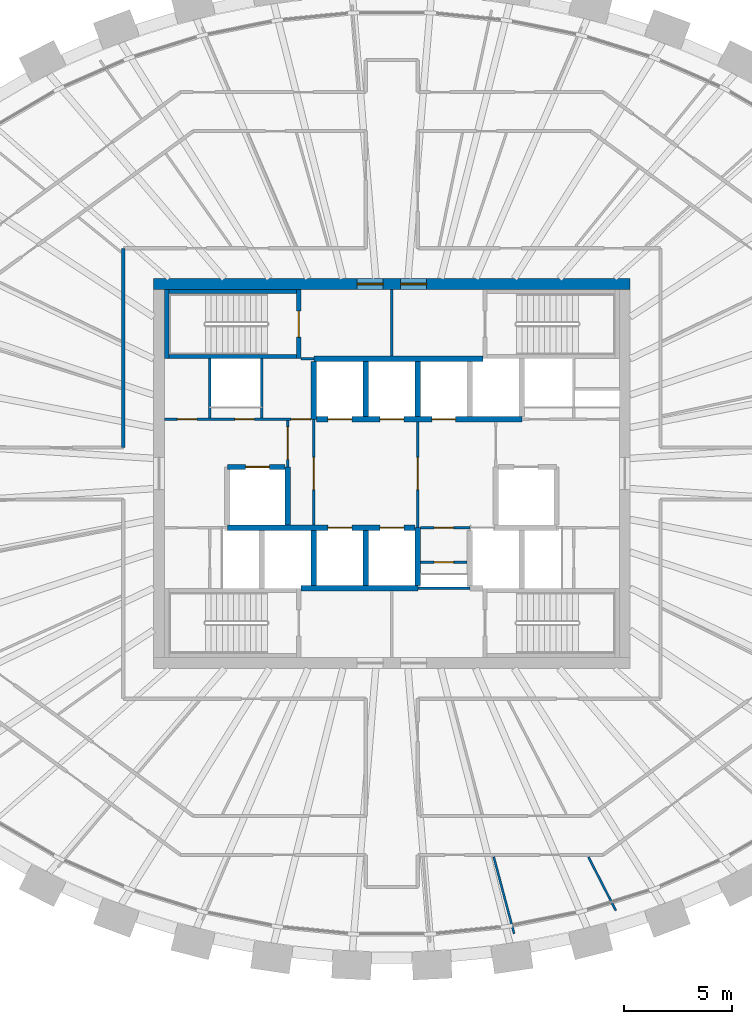
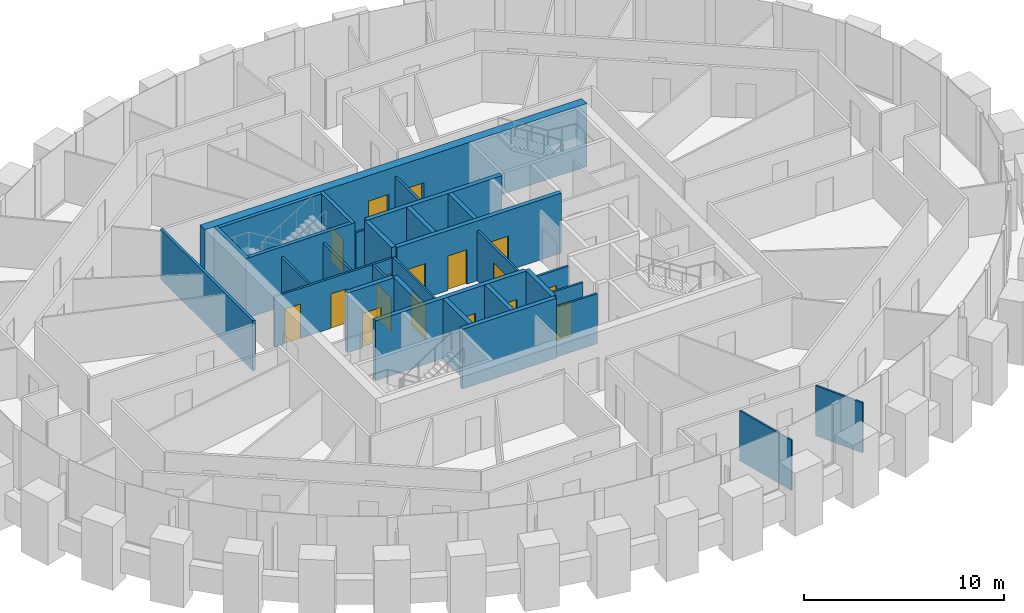
# One storey, part 7 of 11: 31 walls, 17 doors, 17 openings.
"""IFC4 building model written with IfcOpenShell, lengths in metres."""

import ifcopenshell
import ifcopenshell.guid

model = None  # the IFC model being written
_history = None  # IfcOwnerHistory: only IFC2X3 demands one
_inside = {}  # id of a spatial element -> (the spatial element, [elements in it])
_under = {}  # id of a project, library or spatial element -> (it, [spatial elements below it])
_declared = {}  # id of a project -> (the project, [libraries it declares])
_typed = {}  # id of a type object -> (the type object, [elements of that type])
_made_of = {}  # id of a material, layer set ... -> (it, [elements and type objects made of it])


def new_model(schema):
    """Start an empty IFC model of exactly this schema.

    Asked for "IFC4X3", IfcOpenShell would pick the latest addendum, in which some entities
    have other attributes; the version numbers below select the first issue.
    IFC2X3 requires an IfcOwnerHistory on every rooted entity: one is made here for all.
    """
    global model, _history
    if schema == "IFC4X3":
        model = ifcopenshell.file(schema_version=(4, 3, 0, 0))
    else:
        model = ifcopenshell.file(schema=schema)
    _inside.clear()
    _under.clear()
    _declared.clear()
    _typed.clear()
    _made_of.clear()
    _history = None
    if model.schema == "IFC2X3":
        org = make("IfcOrganization", Name="unknown")
        user = make(
            "IfcPersonAndOrganization",
            ThePerson=make("IfcPerson", FamilyName="unknown"),
            TheOrganization=org,
        )
        app = make(
            "IfcApplication",
            ApplicationDeveloper=org,
            Version="unknown",
            ApplicationFullName="unknown",
            ApplicationIdentifier="unknown",
        )
        _history = make(
            "IfcOwnerHistory",
            OwningUser=user,
            OwningApplication=app,
            ChangeAction="ADDED",
            CreationDate=0,
        )
    return model


def make(cls, **values):
    """One entity of the class cls with the attributes given. An attribute that is None is left unset."""
    return model.create_entity(
        cls, **{name: value for name, value in values.items() if value is not None}
    )


def rooted(cls, **values):
    """An entity with a GlobalId (a new one), such as an element, a storey or a relation."""
    return make(cls, GlobalId=ifcopenshell.guid.new(), OwnerHistory=_history, **values)


def si_unit(unit_type, name, prefix=None):
    """IfcSIUnit, for example si_unit("LENGTHUNIT", "METRE", prefix="MILLI")."""
    return make("IfcSIUnit", UnitType=unit_type, Prefix=prefix, Name=name)


def assignment(units):
    """IfcUnitAssignment: the units of a project."""
    return None if units is None else make("IfcUnitAssignment", Units=units)


def point(xyz):
    """IfcCartesianPoint."""
    return None if xyz is None else make("IfcCartesianPoint", Coordinates=xyz)


def direction(xyz):
    """IfcDirection."""
    return None if xyz is None else make("IfcDirection", DirectionRatios=xyz)


def frame(location, z_axis=None, x_axis=None):
    """IfcAxis2Placement3D, a coordinate frame: its origin and axes. An axis left out is left unset."""
    return make(
        "IfcAxis2Placement3D",
        Location=point(location),
        Axis=direction(z_axis),
        RefDirection=direction(x_axis),
    )


def frame_2d(location, x_axis=None):
    """IfcAxis2Placement2D, a coordinate frame in the plane: its origin and x axis."""
    return make(
        "IfcAxis2Placement2D", Location=point(location), RefDirection=direction(x_axis)
    )


def origin():
    """The frame at (0, 0, 0) with its axes left unset."""
    return frame((0.0, 0.0, 0.0))


def place(relative_to, where):
    """IfcLocalPlacement: puts the frame where relative to a parent placement (None: the world)."""
    return make(
        "IfcLocalPlacement", PlacementRelTo=relative_to, RelativePlacement=where
    )


def context(
    kind, dimensions, precision=None, world=None, true_north=None, identifier=None
):
    """IfcGeometricRepresentationContext, for example the 3D "Model" context."""
    return make(
        "IfcGeometricRepresentationContext",
        ContextIdentifier=identifier,
        ContextType=kind,
        CoordinateSpaceDimension=dimensions,
        Precision=precision,
        WorldCoordinateSystem=world,
        TrueNorth=true_north,
    )


def subcontext(parent, identifier, kind, view, scale=None):
    """IfcGeometricRepresentationSubContext, for example "Body" below "Model"."""
    return make(
        "IfcGeometricRepresentationSubContext",
        ContextIdentifier=identifier,
        ContextType=kind,
        ParentContext=parent,
        TargetScale=scale,
        TargetView=view,
    )


def project(units=None, contexts=None):
    """IfcProject with its units and contexts."""
    return rooted(
        "IfcProject",
        Name="project",
        RepresentationContexts=contexts,
        UnitsInContext=assignment(units),
    )


def spatial(cls, under=None, at=None, **own):
    """A site, building, storey or space (cls), placed at a placement, below another one or the project."""
    s = rooted(cls, ObjectPlacement=at, **own)
    if under is not None:
        _under.setdefault(under.id(), (under, []))[1].append(s)
    return s


def profile(cls, at=None, kind="AREA", **sizes):
    """A parametric profile (cls). Its sizes go by their IFC names, for example OverallWidth=200.0."""
    return make(cls, ProfileType=kind, Position=at, **sizes)


def rectangle(**sizes):
    """IfcRectangleProfileDef."""
    return profile("IfcRectangleProfileDef", **sizes)


def extrude(swept, where, along, depth):
    """IfcExtrudedAreaSolid: the profile swept, set in the frame where, extruded along a direction by depth."""
    return make(
        "IfcExtrudedAreaSolid",
        SweptArea=swept,
        Position=where,
        ExtrudedDirection=direction(along),
        Depth=depth,
    )


def shape(context_of_items, identifier, shape_type, items):
    """IfcShapeRepresentation: the items that make up one representation, for example the "Body"."""
    return make(
        "IfcShapeRepresentation",
        ContextOfItems=context_of_items,
        RepresentationIdentifier=identifier,
        RepresentationType=shape_type,
        Items=items,
    )


def source(mapping_origin, context_of_items, identifier, shape_type, items):
    """IfcRepresentationMap: a shape defined once, which mapped items show again and again."""
    return make(
        "IfcRepresentationMap",
        MappingOrigin=mapping_origin,
        MappedRepresentation=shape(context_of_items, identifier, shape_type, items),
    )


def transform(
    local_origin,
    x_axis=None,
    y_axis=None,
    z_axis=None,
    scale=None,
    scale2=None,
    scale3=None,
    uniform=True,
):
    """IfcCartesianTransformationOperator3D, or its non-uniform kind. x_axis, y_axis, z_axis: its Axis1, 2, 3."""
    if uniform:
        return make(
            "IfcCartesianTransformationOperator3D",
            Axis1=direction(x_axis),
            Axis2=direction(y_axis),
            LocalOrigin=point(local_origin),
            Scale=scale,
            Axis3=direction(z_axis),
        )
    return make(
        "IfcCartesianTransformationOperator3DnonUniform",
        Axis1=direction(x_axis),
        Axis2=direction(y_axis),
        LocalOrigin=point(local_origin),
        Scale=scale,
        Axis3=direction(z_axis),
        Scale2=scale2,
        Scale3=scale3,
    )


def mapped(mapping_source, mapping_target):
    """IfcMappedItem: shows the shape of a source again, moved by a transform."""
    return make(
        "IfcMappedItem", MappingSource=mapping_source, MappingTarget=mapping_target
    )


def material(Name=None, Category=None):
    """IfcMaterial."""
    return make("IfcMaterial", Name=Name, Category=Category)


def layer(
    of_material, thickness, ventilated=None, Name=None, Category=None, Priority=None
):
    """IfcMaterialLayer: one layer of a wall or slab, of a material (None: an air gap)."""
    return make(
        "IfcMaterialLayer",
        Material=of_material,
        LayerThickness=thickness,
        IsVentilated=ventilated,
        Name=Name,
        Category=Category,
        Priority=Priority,
    )


def layer_set(layers, Name=None):
    """IfcMaterialLayerSet."""
    return make("IfcMaterialLayerSet", MaterialLayers=layers, LayerSetName=Name)


def made_of(thing, what):
    """Note that an element or type object is made of a material, layer set ...; save() writes the relation."""
    if what is not None:
        _made_of.setdefault(what.id(), (what, []))[1].append(thing)
    return thing


def type_object(cls, material=None, **own):
    """A type object (cls), such as IfcWallType, which elements share."""
    return made_of(rooted(cls, **own), material)


def element(
    cls,
    number,
    at=None,
    inside=None,
    cuts=None,
    type_object=None,
    material=None,
    context=None,
    identifier="Body",
    shape_type=None,
    held_by="IfcProductDefinitionShape",
    body=None,
    shapes=None,
    **own,
):
    """One element of the class cls, such as IfcWall. Its Tag is "e" and its number.

    at: its placement. inside: the storey or other place that contains it. cuts: it is an
    opening in that element (IfcRelVoidsElement). A single representation is given by context,
    identifier, shape_type and body (its items); several are given by shapes. held_by: the class
    of the entity that holds the representations. save() writes the other relations.
    """
    e = rooted(cls, Tag="e%d" % number, ObjectPlacement=at, **own)
    if body is not None:
        shapes = [shape(context, identifier, shape_type, body)]
    if shapes is not None:
        e.Representation = make(held_by, Representations=shapes)
    if inside is not None:
        _inside.setdefault(inside.id(), (inside, []))[1].append(e)
    if cuts is not None:
        rooted(
            "IfcRelVoidsElement", RelatingBuildingElement=cuts, RelatedOpeningElement=e
        )
    if type_object is not None:
        _typed.setdefault(type_object.id(), (type_object, []))[1].append(e)
    return made_of(e, material)


def fill(opening, filler):
    """IfcRelFillsElement: the door or window that sits in an opening."""
    return rooted(
        "IfcRelFillsElement",
        RelatingOpeningElement=opening,
        RelatedBuildingElement=filler,
    )


def aggregate(whole, parts):
    """IfcRelAggregates: a whole, such as a stair, and the parts it consists of."""
    return rooted("IfcRelAggregates", RelatingObject=whole, RelatedObjects=parts)


def save(model, path):
    """Write the relations noted so far, then the file.

    IfcRelAggregates (storeys below a building ...), IfcRelContainedInSpatialStructure (elements
    in a storey), IfcRelDefinesByType, IfcRelAssociatesMaterial and IfcRelDeclares: one each for
    every whole, place, type object, material and project.
    """
    for whole, parts in _under.values():
        aggregate(whole, parts)
    for where, things in _inside.values():
        rooted(
            "IfcRelContainedInSpatialStructure",
            RelatedElements=things,
            RelatingStructure=where,
        )
    for kind, things in _typed.values():
        rooted("IfcRelDefinesByType", RelatedObjects=things, RelatingType=kind)
    for what, things in _made_of.values():
        rooted("IfcRelAssociatesMaterial", RelatedObjects=things, RelatingMaterial=what)
    for by, libraries in _declared.values():
        rooted("IfcRelDeclares", RelatingContext=by, RelatedDefinitions=libraries)
    model.write(path)


model = new_model("IFC4")

# Units and contexts
model_context = context("Model", 3, precision=1e-05, world=origin(), true_north=direction((0.0, 1.0)))
body_context = subcontext(model_context, "Body", "Model", "MODEL_VIEW")
ifc_project = project(units=[si_unit("LENGTHUNIT", "METRE"), si_unit("AREAUNIT", "SQUARE_METRE"), si_unit("VOLUMEUNIT", "CUBIC_METRE"), si_unit("PLANEANGLEUNIT", "RADIAN"), si_unit("MASSUNIT", "GRAM", prefix="KILO")], contexts=[model_context])

# Site, building, storey
site_placement = place(None, origin())
site = spatial("IfcSite", under=ifc_project, at=site_placement, CompositionType="ELEMENT")
building_placement = place(site_placement, origin())
building = spatial("IfcBuilding", under=site, at=building_placement, Name="Embergate Tower", CompositionType="ELEMENT")
storey_placement = place(building_placement, frame((0.0, 0.0, 328.60009765625)))
storey = spatial("IfcBuildingStorey", under=building, at=storey_placement, Name="L77", CompositionType="ELEMENT", Elevation=328.60009765625)

# Wall, openings, doors
ifc_material_1 = material(Name="Concrete C50", Category="concrete")
ifc_layer_1 = layer(ifc_material_1, 0.5)
ifc_layer_set_1 = layer_set([ifc_layer_1], Name="Concrete C50")
wall_type_1 = type_object("IfcWallType", Name="Core outer wall C50 500", PredefinedType="SHEAR", material=ifc_layer_set_1)
shared_shape_1 = source(origin(), body_context, "Body", "SweptSolid", [
    extrude(rectangle(XDim=22.0, YDim=0.5, at=frame_2d((11.0, 0.0))), origin(), (0.0, 0.0, 1.0), 3.85009765625),
])
wall_1_placement = place(storey_placement, frame((-11.0, 8.75, -0.2001953125), z_axis=(0.0, 0.0, 1.0), x_axis=(1.0, 0.0, 0.0)))
wall_1 = element("IfcWall", 1, at=wall_1_placement, inside=storey, type_object=wall_type_1, Name="CW-L77-N", PredefinedType="SHEAR", context=body_context, shape_type="MappedRepresentation", body=[
    mapped(shared_shape_1, transform((0.0, 0.0, 0.0))),
])
shared_shape_2 = source(origin(), body_context, "Body", "SweptSolid", [
    extrude(rectangle(XDim=1.199951171875, YDim=2.10009765625, at=frame_2d((0.60009765625, 1.050048828125))), frame((0.0, 0.260009765625, 0.0), z_axis=(0.0, -1.0, 0.0), x_axis=(1.0, 0.0, 0.0)), (0.0, 0.0, 1.0), 0.52001953125),
])
opening_1_placement = place(wall_1_placement, frame((9.39990234375, 0.0, 0.199951171875)))
opening_1 = element("IfcOpeningElement", 2, at=opening_1_placement, cuts=wall_1, Name="Opening IF-1", PredefinedType="OPENING", context=body_context, shape_type="MappedRepresentation", body=[
    mapped(shared_shape_2, transform((0.0, 0.0, 0.0))),
])
opening_2_placement = place(wall_1_placement, frame((11.39990234375, 0.0, 0.199951171875)))
opening_2 = element("IfcOpeningElement", 3, at=opening_2_placement, cuts=wall_1, Name="Opening IF-1", PredefinedType="OPENING", context=body_context, shape_type="MappedRepresentation", body=[
    mapped(shared_shape_2, transform((0.0, 0.0, 0.0))),
])
ifc_material_2 = material(Name="Escape fire door 1200")
door_type_1 = type_object("IfcDoorType", Name="Escape fire door 1200", OperationType="SINGLE_SWING_LEFT", PredefinedType="DOOR", material=ifc_material_2)
shared_shape_3 = source(origin(), body_context, "Body", "SweptSolid", [
    extrude(rectangle(XDim=1.199951171875, YDim=2.10009765625, at=frame_2d((0.60009765625, 1.050048828125))), frame((0.0, 0.02490234375, 0.0), z_axis=(0.0, -1.0, 0.0), x_axis=(1.0, 0.0, 0.0)), (0.0, 0.0, 1.0), 0.050048828125),
])
door_1_placement = place(opening_1_placement, origin())
door_1 = element("IfcDoor", 4, at=door_1_placement, inside=storey, type_object=door_type_1, Name="IF-1 door", OperationType="SINGLE_SWING_RIGHT", OverallHeight=2.10009765625, OverallWidth=1.199951171875, PredefinedType="DOOR", context=body_context, shape_type="MappedRepresentation", body=[
    mapped(shared_shape_3, transform((0.0, 0.0, 0.0))),
])
fill(opening_1, door_1)
door_2_placement = place(opening_2_placement, origin())
door_2 = element("IfcDoor", 5, at=door_2_placement, inside=storey, type_object=door_type_1, Name="IF-1 door", OperationType="SINGLE_SWING_LEFT", OverallHeight=2.10009765625, OverallWidth=1.199951171875, PredefinedType="DOOR", context=body_context, shape_type="MappedRepresentation", body=[
    mapped(shared_shape_3, transform((0.0, 0.0, 0.0))),
])
fill(opening_2, door_2)

# Walls
ifc_material_3 = material(Name="Corridor wall dry-lined 150")
ifc_layer_2 = layer(ifc_material_3, 0.14990234375)
ifc_layer_set_2 = layer_set([ifc_layer_2], Name="Corridor wall dry-lined 150")
wall_type_2 = type_object("IfcWallType", Name="Corridor wall dry-lined 150", PredefinedType="PARTITIONING", material=ifc_layer_set_2)
shared_shape_4 = source(origin(), body_context, "Body", "SweptSolid", [
    extrude(rectangle(XDim=9.199951171875, YDim=0.14990234375, at=frame_2d((4.60009765625, 0.0))), origin(), (0.0, 0.0, 1.0), 3.0498046875),
])
wall_2_placement = place(storey_placement, frame((-12.39990234375, 10.39990234375, 0.0), z_axis=(0.0, 0.0, 1.0), x_axis=(0.0, -1.0, 0.0)))
element("IfcWall", 6, at=wall_2_placement, inside=storey, type_object=wall_type_2, Name="IP-2 wall", PredefinedType="PARTITIONING", context=body_context, shape_type="MappedRepresentation", body=[
    mapped(shared_shape_4, transform((0.0, 0.0, 0.0))),
])
ifc_material_4 = material(Name="Partition dry-lined 100")
ifc_layer_3 = layer(ifc_material_4, 0.10009765625)
ifc_layer_set_3 = layer_set([ifc_layer_3], Name="Partition dry-lined 100")
wall_type_3 = type_object("IfcWallType", Name="Partition dry-lined 100", PredefinedType="PARTITIONING", material=ifc_layer_set_3)
shared_shape_5 = source(origin(), body_context, "Body", "SweptSolid", [
    extrude(rectangle(XDim=3.673095703125, YDim=0.10009765625, at=frame_2d((1.83642578125, 0.0))), origin(), (0.0, 0.0, 1.0), 3.0498046875),
])
wall_3_placement = place(storey_placement, frame((4.702880859375, -17.698974609375, 0.0), z_axis=(0.0, 0.0, 1.0), x_axis=(0.256756564456, -0.966476107624, 0.0)))
element("IfcWall", 7, at=wall_3_placement, inside=storey, type_object=wall_type_3, Name="IP-1 wall", PredefinedType="PARTITIONING", context=body_context, shape_type="MappedRepresentation", body=[
    mapped(shared_shape_5, transform((0.0, 0.0, 0.0))),
])
shared_shape_6 = source(origin(), body_context, "Body", "SweptSolid", [
    extrude(rectangle(XDim=2.7802734375, YDim=0.10009765625, at=frame_2d((1.39013671875, 0.0))), origin(), (0.0, 0.0, 1.0), 3.0498046875),
])
wall_4_placement = place(storey_placement, frame((9.076904296875, -17.708984375, 0.0), z_axis=(0.0, 0.0, 1.0), x_axis=(0.456113393921, -0.889921666152, 0.0)))
element("IfcWall", 8, at=wall_4_placement, inside=storey, type_object=wall_type_3, Name="IP-1 wall", PredefinedType="PARTITIONING", context=body_context, shape_type="MappedRepresentation", body=[
    mapped(shared_shape_6, transform((0.0, 0.0, 0.0))),
])

# Wall, openings, doors
ifc_material_5 = material(Name="Core partition blockwork 120")
ifc_layer_4 = layer(ifc_material_5, 0.1201171875)
ifc_layer_set_4 = layer_set([ifc_layer_4], Name="Core partition blockwork 120")
wall_type_4 = type_object("IfcWallType", Name="Core partition blockwork 120", PredefinedType="PARTITIONING", material=ifc_layer_set_4)
shared_shape_7 = source(origin(), body_context, "Body", "SweptSolid", [
    extrude(rectangle(XDim=6.77490234375, YDim=0.1201171875, at=frame_2d((3.387451171875, 0.0))), origin(), (0.0, 0.0, 1.0), 3.0498046875),
])
wall_5_placement = place(storey_placement, frame((-10.5, 2.5, 0.0), z_axis=(0.0, 0.0, 1.0), x_axis=(1.0, 0.0, 0.0)))
wall_5 = element("IfcWall", 9, at=wall_5_placement, inside=storey, type_object=wall_type_4, Name="IP-3 wall", PredefinedType="PARTITIONING", context=body_context, shape_type="MappedRepresentation", body=[
    mapped(shared_shape_7, transform((0.0, 0.0, 0.0))),
])
shared_shape_8 = source(origin(), body_context, "Body", "SweptSolid", [
    extrude(rectangle(XDim=0.89990234375, YDim=2.10009765625, at=frame_2d((0.449951171875, 1.050048828125))), frame((0.0, 0.070068359375, 0.0), z_axis=(0.0, -1.0, 0.0), x_axis=(1.0, 0.0, 0.0)), (0.0, 0.0, 1.0), 0.14013671875),
])
opening_3_placement = place(wall_5_placement, frame((3.25, 0.0, 0.0)))
opening_3 = element("IfcOpeningElement", 10, at=opening_3_placement, cuts=wall_5, Name="Opening ID-1", PredefinedType="OPENING", context=body_context, shape_type="MappedRepresentation", body=[
    mapped(shared_shape_8, transform((0.0, 0.0, 0.0))),
])
opening_4_placement = place(wall_5_placement, frame((5.85009765625, 0.0, 0.0)))
opening_4 = element("IfcOpeningElement", 11, at=opening_4_placement, cuts=wall_5, Name="Opening ID-1", PredefinedType="OPENING", context=body_context, shape_type="MappedRepresentation", body=[
    mapped(shared_shape_8, transform((0.0, 0.0, 0.0))),
])
opening_5_placement = place(wall_5_placement, frame((0.60009765625, 0.0, 0.0)))
opening_5 = element("IfcOpeningElement", 12, at=opening_5_placement, cuts=wall_5, Name="Opening ID-1", PredefinedType="OPENING", context=body_context, shape_type="MappedRepresentation", body=[
    mapped(shared_shape_8, transform((0.0, 0.0, 0.0))),
])
ifc_material_6 = material(Name="Interior door 900")
door_type_2 = type_object("IfcDoorType", Name="Interior door 900", OperationType="SINGLE_SWING_LEFT", PredefinedType="DOOR", material=ifc_material_6)
shared_shape_9 = source(origin(), body_context, "Body", "SweptSolid", [
    extrude(rectangle(XDim=0.89990234375, YDim=2.10009765625, at=frame_2d((0.449951171875, 1.050048828125))), frame((0.0, 0.02490234375, 0.0), z_axis=(0.0, -1.0, 0.0), x_axis=(1.0, 0.0, 0.0)), (0.0, 0.0, 1.0), 0.050048828125),
])
door_3_placement = place(opening_3_placement, origin())
door_3 = element("IfcDoor", 13, at=door_3_placement, inside=storey, type_object=door_type_2, Name="ID-1 door", OperationType="SINGLE_SWING_RIGHT", OverallHeight=2.10009765625, OverallWidth=0.89990234375, PredefinedType="DOOR", context=body_context, shape_type="MappedRepresentation", body=[
    mapped(shared_shape_9, transform((0.0, 0.0, 0.0))),
])
fill(opening_3, door_3)
door_4_placement = place(opening_4_placement, origin())
door_4 = element("IfcDoor", 14, at=door_4_placement, inside=storey, type_object=door_type_2, Name="ID-1 door", OperationType="SINGLE_SWING_LEFT", OverallHeight=2.10009765625, OverallWidth=0.89990234375, PredefinedType="DOOR", context=body_context, shape_type="MappedRepresentation", body=[
    mapped(shared_shape_9, transform((0.0, 0.0, 0.0))),
])
fill(opening_4, door_4)
door_5_placement = place(opening_5_placement, origin())
door_5 = element("IfcDoor", 15, at=door_5_placement, inside=storey, type_object=door_type_2, Name="ID-1 door", OperationType="SINGLE_SWING_LEFT", OverallHeight=2.10009765625, OverallWidth=0.89990234375, PredefinedType="DOOR", context=body_context, shape_type="MappedRepresentation", body=[
    mapped(shared_shape_9, transform((0.0, 0.0, 0.0))),
])
fill(opening_5, door_5)

# Walls
ifc_layer_5 = layer(ifc_material_1, 0.199951171875)
ifc_layer_set_5 = layer_set([ifc_layer_5], Name="Concrete C50")
wall_type_5 = type_object("IfcWallType", Name="Stair enclosure wall reinforced concrete 250", PredefinedType="SHEAR", material=ifc_layer_set_5)
shared_shape_10 = source(origin(), body_context, "Body", "SweptSolid", [
    extrude(rectangle(XDim=6.300048828125, YDim=0.199951171875, at=frame_2d((3.14990234375, 0.0))), origin(), (0.0, 0.0, 1.0), 3.64990234375),
])
wall_6_placement = place(storey_placement, frame((-4.199951171875, 5.39990234375, 0.0), z_axis=(0.0, 0.0, 1.0), x_axis=(-1.0, 0.0, 0.0)))
element("IfcWall", 16, at=wall_6_placement, inside=storey, type_object=wall_type_5, Name="SE-1 wall", PredefinedType="SHEAR", context=body_context, shape_type="MappedRepresentation", body=[
    mapped(shared_shape_10, transform((0.0, 0.0, 0.0))),
])
shared_shape_11 = source(origin(), body_context, "Body", "SweptSolid", [
    extrude(rectangle(XDim=2.739990234375, YDim=0.1201171875, at=frame_2d((1.3701171875, 0.0))), origin(), (0.0, 0.0, 1.0), 3.0498046875),
])
for number, where, z_axis, x_axis, name in (
    (17, (-6.0, 2.56005859375, 0.0), (0.0, 0.0, 1.0), (0.0, 1.0, 0.0), "IP-3 wall"),
    (18, (-8.39990234375, 5.300048828125, 0.0), (0.0, 0.0, 1.0), (0.0, -1.0, 0.0), "IP-3 wall"),
):
    element("IfcWall", number, at=place(storey_placement, frame(where, z_axis=z_axis, x_axis=x_axis)), inside=storey, type_object=wall_type_4, Name=name, PredefinedType="PARTITIONING", context=body_context, shape_type="MappedRepresentation", body=[
        mapped(shared_shape_11, transform((0.0, 0.0, 0.0))),
    ])
ifc_layer_6 = layer(ifc_material_1, 0.25)
ifc_layer_set_6 = layer_set([ifc_layer_6], Name="Concrete C50")
wall_type_6 = type_object("IfcWallType", Name="Hoistway wall reinforced concrete 250", PredefinedType="SHEAR", material=ifc_layer_set_6)
shared_shape_12 = source(origin(), body_context, "Body", "SweptSolid", [
    extrude(rectangle(XDim=2.550048828125, YDim=0.25, at=frame_2d((1.27490234375, 0.0))), origin(), (0.0, 0.0, 1.0), 3.64990234375),
])
for number, where, z_axis, x_axis, name in (
    (19, (-1.199951171875, 2.625, 0.0), (0.0, 0.0, 1.0), (0.0, 1.0, 0.0), "HW-1 wall"),
    (20, (1.199951171875, 2.625, 0.0), (0.0, 0.0, 1.0), (0.0, 1.0, 0.0), "HW-1 wall"),
    (21, (-3.60009765625, -5.175048828125, 0.0), (0.0, 0.0, 1.0), (0.0, 1.0, 0.0), "HW-1 wall"),
    (22, (-1.199951171875, -5.175048828125, 0.0), (0.0, 0.0, 1.0), (0.0, 1.0, 0.0), "HW-1 wall"),
):
    element("IfcWall", number, at=place(storey_placement, frame(where, z_axis=z_axis, x_axis=x_axis)), inside=storey, type_object=wall_type_6, Name=name, PredefinedType="SHEAR", context=body_context, shape_type="MappedRepresentation", body=[
        mapped(shared_shape_12, transform((0.0, 0.0, 0.0))),
    ])

# Wall, openings, doors
shared_shape_13 = source(origin(), body_context, "Body", "SweptSolid", [
    extrude(rectangle(XDim=9.47509765625, YDim=0.25, at=frame_2d((4.737548828125, 0.0))), origin(), (0.0, 0.0, 1.0), 3.64990234375),
])
wall_7_placement = place(storey_placement, frame((-3.47509765625, 2.5, 0.0), z_axis=(0.0, 0.0, 1.0), x_axis=(1.0, 0.0, 0.0)))
wall_7 = element("IfcWall", 23, at=wall_7_placement, inside=storey, type_object=wall_type_6, Name="HW-1 wall", PredefinedType="SHEAR", context=body_context, shape_type="MappedRepresentation", body=[
    mapped(shared_shape_13, transform((0.0, 0.0, 0.0))),
])
shared_shape_14 = source(origin(), body_context, "Body", "SweptSolid", [
    extrude(rectangle(XDim=1.10009765625, YDim=2.10009765625, at=frame_2d((0.550048828125, 1.050048828125))), frame((0.0, 0.135009765625, 0.0), z_axis=(0.0, -1.0, 0.0), x_axis=(1.0, 0.0, 0.0)), (0.0, 0.0, 1.0), 0.27001953125),
])
opening_6_placement = place(wall_7_placement, frame((0.52490234375, 0.0, 0.0)))
opening_6 = element("IfcOpeningElement", 24, at=opening_6_placement, cuts=wall_7, Name="Opening LD", PredefinedType="OPENING", context=body_context, shape_type="MappedRepresentation", body=[
    mapped(shared_shape_14, transform((0.0, 0.0, 0.0))),
])
opening_7_placement = place(wall_7_placement, frame((2.925048828125, 0.0, 0.0)))
opening_7 = element("IfcOpeningElement", 25, at=opening_7_placement, cuts=wall_7, Name="Opening LD", PredefinedType="OPENING", context=body_context, shape_type="MappedRepresentation", body=[
    mapped(shared_shape_14, transform((0.0, 0.0, 0.0))),
])
opening_8_placement = place(wall_7_placement, frame((5.324951171875, 0.0, 0.0)))
opening_8 = element("IfcOpeningElement", 26, at=opening_8_placement, cuts=wall_7, Name="Opening LD", PredefinedType="OPENING", context=body_context, shape_type="MappedRepresentation", body=[
    mapped(shared_shape_14, transform((0.0, 0.0, 0.0))),
])
ifc_material_7 = material(Name="Landing door sliding 1100")
door_type_3 = type_object("IfcDoorType", Name="Landing door sliding 1100", OperationType="SLIDING_TO_LEFT", PredefinedType="DOOR", material=ifc_material_7)
shared_shape_15 = source(origin(), body_context, "Body", "SweptSolid", [
    extrude(rectangle(XDim=1.10009765625, YDim=2.10009765625, at=frame_2d((0.550048828125, 1.050048828125))), frame((0.0, 0.02490234375, 0.0), z_axis=(0.0, -1.0, 0.0), x_axis=(1.0, 0.0, 0.0)), (0.0, 0.0, 1.0), 0.050048828125),
])
door_6_placement = place(opening_6_placement, origin())
door_6 = element("IfcDoor", 27, at=door_6_placement, inside=storey, type_object=door_type_3, Name="LD door", OperationType="SLIDING_TO_RIGHT", OverallHeight=2.10009765625, OverallWidth=1.10009765625, PredefinedType="DOOR", context=body_context, shape_type="MappedRepresentation", body=[
    mapped(shared_shape_15, transform((0.0, 0.0, 0.0))),
])
fill(opening_6, door_6)
door_7_placement = place(opening_7_placement, origin())
door_7 = element("IfcDoor", 28, at=door_7_placement, inside=storey, type_object=door_type_3, Name="LD door", OperationType="SLIDING_TO_RIGHT", OverallHeight=2.10009765625, OverallWidth=1.10009765625, PredefinedType="DOOR", context=body_context, shape_type="MappedRepresentation", body=[
    mapped(shared_shape_15, transform((0.0, 0.0, 0.0))),
])
fill(opening_7, door_7)
door_8_placement = place(opening_8_placement, origin())
door_8 = element("IfcDoor", 29, at=door_8_placement, inside=storey, type_object=door_type_3, Name="LD door", OperationType="SLIDING_TO_RIGHT", OverallHeight=2.10009765625, OverallWidth=1.10009765625, PredefinedType="DOOR", context=body_context, shape_type="MappedRepresentation", body=[
    mapped(shared_shape_15, transform((0.0, 0.0, 0.0))),
])
fill(opening_8, door_8)

# Walls
shared_shape_16 = source(origin(), body_context, "Body", "SweptSolid", [
    extrude(rectangle(XDim=7.800048828125, YDim=0.25, at=frame_2d((3.89990234375, 0.0))), origin(), (0.0, 0.0, 1.0), 3.64990234375),
])
wall_8_placement = place(storey_placement, frame((4.199951171875, 5.300048828125, 0.0), z_axis=(0.0, 0.0, 1.0), x_axis=(-1.0, 0.0, 0.0)))
element("IfcWall", 30, at=wall_8_placement, inside=storey, type_object=wall_type_6, Name="HW-1 wall", PredefinedType="SHEAR", context=body_context, shape_type="MappedRepresentation", body=[
    mapped(shared_shape_16, transform((0.0, 0.0, 0.0))),
])
shared_shape_17 = source(origin(), body_context, "Body", "SweptSolid", [
    extrude(rectangle(XDim=2.675048828125, YDim=0.25, at=frame_2d((1.33740234375, 0.0))), origin(), (0.0, 0.0, 1.0), 3.64990234375),
])
for number, where, z_axis, x_axis, name in (
    (31, (-3.60009765625, 5.175048828125, 0.0), (0.0, 0.0, 1.0), (0.0, -1.0, 0.0), "HW-1 wall"),
    (32, (1.199951171875, -5.175048828125, 0.0), (0.0, 0.0, 1.0), (0.0, 1.0, 0.0), "HW-1 wall"),
    (33, (-4.800048828125, 0.300048828125, 0.0), (0.0, 0.0, 1.0), (0.0, -1.0, 0.0), "HW-1 wall"),
):
    element("IfcWall", number, at=place(storey_placement, frame(where, z_axis=z_axis, x_axis=x_axis)), inside=storey, type_object=wall_type_6, Name=name, PredefinedType="SHEAR", context=body_context, shape_type="MappedRepresentation", body=[
        mapped(shared_shape_17, transform((0.0, 0.0, 0.0))),
    ])

# Wall, opening, door
wall_9_placement = place(storey_placement, frame((-4.925048828125, 0.300048828125, 0.0), z_axis=(0.0, 0.0, 1.0), x_axis=(-1.0, 0.0, 0.0)))
wall_9 = element("IfcWall", 34, at=wall_9_placement, inside=storey, type_object=wall_type_6, Name="HW-1 wall", PredefinedType="SHEAR", context=body_context, shape_type="MappedRepresentation", body=[
    mapped(shared_shape_17, transform((0.0, 0.0, 0.0))),
])
opening_9_placement = place(wall_9_placement, frame((0.72509765625, 0.0, 0.0)))
opening_9 = element("IfcOpeningElement", 35, at=opening_9_placement, cuts=wall_9, Name="Opening LD", PredefinedType="OPENING", context=body_context, shape_type="MappedRepresentation", body=[
    mapped(shared_shape_14, transform((0.0, 0.0, 0.0))),
])
door_9_placement = place(opening_9_placement, origin())
door_9 = element("IfcDoor", 36, at=door_9_placement, inside=storey, type_object=door_type_3, Name="LD door", OperationType="SLIDING_TO_RIGHT", OverallHeight=2.10009765625, OverallWidth=1.10009765625, PredefinedType="DOOR", context=body_context, shape_type="MappedRepresentation", body=[
    mapped(shared_shape_15, transform((0.0, 0.0, 0.0))),
])
fill(opening_9, door_9)

# Wall, openings, doors
shared_shape_18 = source(origin(), body_context, "Body", "SweptSolid", [
    extrude(rectangle(XDim=8.675048828125, YDim=0.25, at=frame_2d((4.33740234375, 0.0))), origin(), (0.0, 0.0, 1.0), 3.64990234375),
])
wall_10_placement = place(storey_placement, frame((1.074951171875, -2.5, 0.0), z_axis=(0.0, 0.0, 1.0), x_axis=(-1.0, 0.0, 0.0)))
wall_10 = element("IfcWall", 37, at=wall_10_placement, inside=storey, type_object=wall_type_6, Name="HW-1 wall", PredefinedType="SHEAR", context=body_context, shape_type="MappedRepresentation", body=[
    mapped(shared_shape_18, transform((0.0, 0.0, 0.0))),
])
opening_10_placement = place(wall_10_placement, frame((2.925048828125, 0.0, 0.0)))
opening_10 = element("IfcOpeningElement", 38, at=opening_10_placement, cuts=wall_10, Name="Opening LD", PredefinedType="OPENING", context=body_context, shape_type="MappedRepresentation", body=[
    mapped(shared_shape_14, transform((0.0, 0.0, 0.0))),
])
opening_11_placement = place(wall_10_placement, frame((0.52490234375, 0.0, 0.0)))
opening_11 = element("IfcOpeningElement", 39, at=opening_11_placement, cuts=wall_10, Name="Opening LD", PredefinedType="OPENING", context=body_context, shape_type="MappedRepresentation", body=[
    mapped(shared_shape_14, transform((0.0, 0.0, 0.0))),
])
door_10_placement = place(opening_10_placement, origin())
door_10 = element("IfcDoor", 40, at=door_10_placement, inside=storey, type_object=door_type_3, Name="LD door", OperationType="SLIDING_TO_RIGHT", OverallHeight=2.10009765625, OverallWidth=1.10009765625, PredefinedType="DOOR", context=body_context, shape_type="MappedRepresentation", body=[
    mapped(shared_shape_15, transform((0.0, 0.0, 0.0))),
])
fill(opening_10, door_10)
door_11_placement = place(opening_11_placement, origin())
door_11 = element("IfcDoor", 41, at=door_11_placement, inside=storey, type_object=door_type_3, Name="LD door", OperationType="SLIDING_TO_LEFT", OverallHeight=2.10009765625, OverallWidth=1.10009765625, PredefinedType="DOOR", context=body_context, shape_type="MappedRepresentation", body=[
    mapped(shared_shape_15, transform((0.0, 0.0, 0.0))),
])
fill(opening_11, door_11)

# Wall
shared_shape_19 = source(origin(), body_context, "Body", "SweptSolid", [
    extrude(rectangle(XDim=5.39990234375, YDim=0.25, at=frame_2d((2.699951171875, 0.0))), origin(), (0.0, 0.0, 1.0), 3.64990234375),
])
wall_11_placement = place(storey_placement, frame((-4.199951171875, -5.300048828125, 0.0), z_axis=(0.0, 0.0, 1.0), x_axis=(1.0, 0.0, 0.0)))
element("IfcWall", 42, at=wall_11_placement, inside=storey, type_object=wall_type_6, Name="HW-1 wall", PredefinedType="SHEAR", context=body_context, shape_type="MappedRepresentation", body=[
    mapped(shared_shape_19, transform((0.0, 0.0, 0.0))),
])

# Wall, opening, door
shared_shape_20 = source(origin(), body_context, "Body", "SweptSolid", [
    extrude(rectangle(XDim=4.875, YDim=0.1201171875, at=frame_2d((2.4375, 0.0))), origin(), (0.0, 0.0, 1.0), 3.0498046875),
])
wall_12_placement = place(storey_placement, frame((-3.60009765625, -2.375, 0.0), z_axis=(0.0, 0.0, 1.0), x_axis=(0.0, 1.0, 0.0)))
wall_12 = element("IfcWall", 43, at=wall_12_placement, inside=storey, type_object=wall_type_4, Name="IP-3 wall", PredefinedType="PARTITIONING", context=body_context, shape_type="MappedRepresentation", body=[
    mapped(shared_shape_20, transform((0.0, 0.0, 0.0))),
])
shared_shape_21 = source(origin(), body_context, "Body", "SweptSolid", [
    extrude(rectangle(XDim=1.5, YDim=2.10009765625, at=frame_2d((0.75, 1.050048828125))), frame((0.0, 0.070068359375, 0.0), z_axis=(0.0, -1.0, 0.0), x_axis=(1.0, 0.0, 0.0)), (0.0, 0.0, 1.0), 0.14013671875),
])
opening_12_placement = place(wall_12_placement, frame((1.625, 0.0, 0.0)))
opening_12 = element("IfcOpeningElement", 44, at=opening_12_placement, cuts=wall_12, Name="Opening IF-3", PredefinedType="OPENING", context=body_context, shape_type="MappedRepresentation", body=[
    mapped(shared_shape_21, transform((0.0, 0.0, 0.0))),
])
ifc_material_8 = material(Name="Lobby fire door pair 1500")
door_type_4 = type_object("IfcDoorType", Name="Lobby fire door pair 1500", OperationType="DOUBLE_DOOR_SINGLE_SWING", PredefinedType="DOOR", material=ifc_material_8)
shared_shape_22 = source(origin(), body_context, "Body", "SweptSolid", [
    extrude(rectangle(XDim=1.5, YDim=2.10009765625, at=frame_2d((0.75, 1.050048828125))), frame((0.0, 0.02490234375, 0.0), z_axis=(0.0, -1.0, 0.0), x_axis=(1.0, 0.0, 0.0)), (0.0, 0.0, 1.0), 0.050048828125),
])
door_12_placement = place(opening_12_placement, origin())
door_12 = element("IfcDoor", 45, at=door_12_placement, inside=storey, type_object=door_type_4, Name="IF-3 door", OperationType="DOUBLE_DOOR_SINGLE_SWING", OverallHeight=2.10009765625, OverallWidth=1.5, PredefinedType="DOOR", context=body_context, shape_type="MappedRepresentation", body=[
    mapped(shared_shape_22, transform((0.0, 0.0, 0.0))),
])
fill(opening_12, door_12)

wall_13_placement = place(storey_placement, frame((1.199951171875, -2.5, 0.0), z_axis=(0.0, 0.0, 1.0), x_axis=(0.0, 1.0, 0.0)))
wall_13 = element("IfcWall", 46, at=wall_13_placement, inside=storey, type_object=wall_type_4, Name="IP-3 wall", PredefinedType="PARTITIONING", context=body_context, shape_type="MappedRepresentation", body=[
    mapped(shared_shape_20, transform((0.0, 0.0, 0.0))),
])
opening_13_placement = place(wall_13_placement, frame((1.75, 0.0, 0.0)))
opening_13 = element("IfcOpeningElement", 47, at=opening_13_placement, cuts=wall_13, Name="Opening IF-3", PredefinedType="OPENING", context=body_context, shape_type="MappedRepresentation", body=[
    mapped(shared_shape_21, transform((0.0, 0.0, 0.0))),
])
door_13_placement = place(opening_13_placement, origin())
door_13 = element("IfcDoor", 48, at=door_13_placement, inside=storey, type_object=door_type_4, Name="IF-3 door", OperationType="DOUBLE_DOOR_SINGLE_SWING", OverallHeight=2.10009765625, OverallWidth=1.5, PredefinedType="DOOR", context=body_context, shape_type="MappedRepresentation", body=[
    mapped(shared_shape_22, transform((0.0, 0.0, 0.0))),
])
fill(opening_13, door_13)

shared_shape_23 = source(origin(), body_context, "Body", "SweptSolid", [
    extrude(rectangle(XDim=2.139892578125, YDim=0.1201171875, at=frame_2d((1.06982421875, 0.0))), origin(), (0.0, 0.0, 1.0), 3.0498046875),
])
wall_14_placement = place(storey_placement, frame((-4.800048828125, 2.43994140625, 0.0), z_axis=(0.0, 0.0, 1.0), x_axis=(0.0, -1.0, 0.0)))
wall_14 = element("IfcWall", 49, at=wall_14_placement, inside=storey, type_object=wall_type_4, Name="IP-3 wall", PredefinedType="PARTITIONING", context=body_context, shape_type="MappedRepresentation", body=[
    mapped(shared_shape_23, transform((0.0, 0.0, 0.0))),
])
opening_14_placement = place(wall_14_placement, frame((0.2900390625, 0.0, 0.0)))
opening_14 = element("IfcOpeningElement", 50, at=opening_14_placement, cuts=wall_14, Name="Opening IF-3", PredefinedType="OPENING", context=body_context, shape_type="MappedRepresentation", body=[
    mapped(shared_shape_21, transform((0.0, 0.0, 0.0))),
])
door_14_placement = place(opening_14_placement, origin())
door_14 = element("IfcDoor", 51, at=door_14_placement, inside=storey, type_object=door_type_4, Name="IF-3 door", OperationType="DOUBLE_DOOR_SINGLE_SWING", OverallHeight=2.10009765625, OverallWidth=1.5, PredefinedType="DOOR", context=body_context, shape_type="MappedRepresentation", body=[
    mapped(shared_shape_22, transform((0.0, 0.0, 0.0))),
])
fill(opening_14, door_14)

shared_shape_24 = source(origin(), body_context, "Body", "SweptSolid", [
    extrude(rectangle(XDim=2.275146484375, YDim=0.1201171875, at=frame_2d((1.1376953125, 0.0))), origin(), (0.0, 0.0, 1.0), 3.0498046875),
])
wall_15_placement = place(storey_placement, frame((1.324951171875, -2.5, 0.0), z_axis=(0.0, 0.0, 1.0), x_axis=(1.0, 0.0, 0.0)))
wall_15 = element("IfcWall", 52, at=wall_15_placement, inside=storey, type_object=wall_type_4, Name="IP-3 wall", PredefinedType="PARTITIONING", context=body_context, shape_type="MappedRepresentation", body=[
    mapped(shared_shape_24, transform((0.0, 0.0, 0.0))),
])
opening_15_placement = place(wall_15_placement, frame((0.625, 0.0, 0.0)))
opening_15 = element("IfcOpeningElement", 53, at=opening_15_placement, cuts=wall_15, Name="Opening ID-1", PredefinedType="OPENING", context=body_context, shape_type="MappedRepresentation", body=[
    mapped(shared_shape_8, transform((0.0, 0.0, 0.0))),
])
door_15_placement = place(opening_15_placement, origin())
door_15 = element("IfcDoor", 54, at=door_15_placement, inside=storey, type_object=door_type_2, Name="ID-1 door", OperationType="SINGLE_SWING_RIGHT", OverallHeight=2.10009765625, OverallWidth=0.89990234375, PredefinedType="DOOR", context=body_context, shape_type="MappedRepresentation", body=[
    mapped(shared_shape_9, transform((0.0, 0.0, 0.0))),
])
fill(opening_15, door_15)

shared_shape_25 = source(origin(), body_context, "Body", "SweptSolid", [
    extrude(rectangle(XDim=3.199951171875, YDim=0.199951171875, at=frame_2d((1.60009765625, 0.0))), origin(), (0.0, 0.0, 1.0), 3.64990234375),
])
wall_16_placement = place(storey_placement, frame((-4.300048828125, 5.300048828125, 0.0), z_axis=(0.0, 0.0, 1.0), x_axis=(0.0, 1.0, 0.0)))
wall_16 = element("IfcWall", 55, at=wall_16_placement, inside=storey, type_object=wall_type_5, Name="SE-1 wall", PredefinedType="SHEAR", context=body_context, shape_type="MappedRepresentation", body=[
    mapped(shared_shape_25, transform((0.0, 0.0, 0.0))),
])
shared_shape_26 = source(origin(), body_context, "Body", "SweptSolid", [
    extrude(rectangle(XDim=1.199951171875, YDim=2.10009765625, at=frame_2d((0.60009765625, 1.050048828125))), frame((0.0, 0.10986328125, 0.0), z_axis=(0.0, -1.0, 0.0), x_axis=(1.0, 0.0, 0.0)), (0.0, 0.0, 1.0), 0.219970703125),
])
opening_16_placement = place(wall_16_placement, frame((1.0, 0.0, 0.0)))
opening_16 = element("IfcOpeningElement", 56, at=opening_16_placement, cuts=wall_16, Name="Opening IF-2", PredefinedType="OPENING", context=body_context, shape_type="MappedRepresentation", body=[
    mapped(shared_shape_26, transform((0.0, 0.0, 0.0))),
])
ifc_material_9 = material(Name="Stair enclosure door 1200")
door_type_5 = type_object("IfcDoorType", Name="Stair enclosure door 1200", OperationType="SINGLE_SWING_LEFT", PredefinedType="DOOR", material=ifc_material_9)
door_16_placement = place(opening_16_placement, origin())
door_16 = element("IfcDoor", 57, at=door_16_placement, inside=storey, type_object=door_type_5, Name="IF-2 door", OperationType="SINGLE_SWING_RIGHT", OverallHeight=2.10009765625, OverallWidth=1.199951171875, PredefinedType="DOOR", context=body_context, shape_type="MappedRepresentation", body=[
    mapped(shared_shape_3, transform((0.0, 0.0, 0.0))),
])
fill(opening_16, door_16)

# Walls
shared_shape_27 = source(origin(), body_context, "Body", "SweptSolid", [
    extrude(rectangle(XDim=3.074951171875, YDim=0.1201171875, at=frame_2d((1.53759765625, 0.0))), origin(), (0.0, 0.0, 1.0), 3.0498046875),
])
wall_17_placement = place(storey_placement, frame((0.0, 5.425048828125, 0.0), z_axis=(0.0, 0.0, 1.0), x_axis=(0.0, 1.0, 0.0)))
element("IfcWall", 58, at=wall_17_placement, inside=storey, type_object=wall_type_4, Name="IP-3 wall", PredefinedType="PARTITIONING", context=body_context, shape_type="MappedRepresentation", body=[
    mapped(shared_shape_27, transform((0.0, 0.0, 0.0))),
])
shared_shape_28 = source(origin(), body_context, "Body", "SweptSolid", [
    extrude(rectangle(XDim=0.599853515625, YDim=0.1201171875, at=frame_2d((0.2998046875, 0.0))), origin(), (0.0, 0.0, 1.0), 3.0498046875),
])
wall_18_placement = place(storey_placement, frame((-4.199951171875, 5.300048828125, 0.0), z_axis=(0.0, 0.0, 1.0), x_axis=(1.0, 0.0, 0.0)))
element("IfcWall", 59, at=wall_18_placement, inside=storey, type_object=wall_type_4, Name="IP-3 wall", PredefinedType="PARTITIONING", context=body_context, shape_type="MappedRepresentation", body=[
    mapped(shared_shape_28, transform((0.0, 0.0, 0.0))),
])
shared_shape_29 = source(origin(), body_context, "Body", "SweptSolid", [
    extrude(rectangle(XDim=2.400146484375, YDim=0.1201171875, at=frame_2d((1.2001953125, 0.0))), origin(), (0.0, 0.0, 1.0), 3.0498046875),
])
wall_19_placement = place(storey_placement, frame((3.60009765625, -5.300048828125, 0.0), z_axis=(0.0, 0.0, 1.0), x_axis=(-1.0, 0.0, 0.0)))
element("IfcWall", 60, at=wall_19_placement, inside=storey, type_object=wall_type_4, Name="IP-3 wall", PredefinedType="PARTITIONING", context=body_context, shape_type="MappedRepresentation", body=[
    mapped(shared_shape_29, transform((0.0, 0.0, 0.0))),
])

# Wall, opening, door
shared_shape_30 = source(origin(), body_context, "Body", "SweptSolid", [
    extrude(rectangle(XDim=2.150146484375, YDim=0.1201171875, at=frame_2d((1.0751953125, 0.0))), origin(), (0.0, 0.0, 1.0), 3.0498046875),
])
wall_20_placement = place(storey_placement, frame((3.47509765625, -4.095947265625, 0.0), z_axis=(0.0, 0.0, 1.0), x_axis=(-1.0, 0.0, 0.0)))
wall_20 = element("IfcWall", 61, at=wall_20_placement, inside=storey, type_object=wall_type_4, Name="IP-3 wall", PredefinedType="PARTITIONING", context=body_context, shape_type="MappedRepresentation", body=[
    mapped(shared_shape_30, transform((0.0, 0.0, 0.0))),
])
opening_17_placement = place(wall_20_placement, frame((0.625, 0.0, 0.0)))
opening_17 = element("IfcOpeningElement", 62, at=opening_17_placement, cuts=wall_20, Name="Opening ID-1", PredefinedType="OPENING", context=body_context, shape_type="MappedRepresentation", body=[
    mapped(shared_shape_8, transform((0.0, 0.0, 0.0))),
])
door_17_placement = place(opening_17_placement, origin())
door_17 = element("IfcDoor", 63, at=door_17_placement, inside=storey, type_object=door_type_2, Name="ID-1 door", OperationType="SINGLE_SWING_LEFT", OverallHeight=2.10009765625, OverallWidth=0.89990234375, PredefinedType="DOOR", context=body_context, shape_type="MappedRepresentation", body=[
    mapped(shared_shape_9, transform((0.0, 0.0, 0.0))),
])
fill(opening_17, door_17)

# Walls
shared_shape_31 = source(origin(), body_context, "Body", "SweptSolid", [
    extrude(rectangle(XDim=6.298095703125, YDim=0.199951171875, at=frame_2d((3.14892578125, 0.0))), origin(), (0.0, 0.0, 1.0), 3.64990234375),
])
wall_21_placement = place(storey_placement, frame((-4.201904296875, 8.39990234375, 0.0), z_axis=(0.0, 0.0, 1.0), x_axis=(-1.0, 0.0, 0.0)))
element("IfcWall", 64, at=wall_21_placement, inside=storey, type_object=wall_type_5, Name="SE-1 wall", PredefinedType="SHEAR", context=body_context, shape_type="MappedRepresentation", body=[
    mapped(shared_shape_31, transform((0.0, 0.0, 0.0))),
])
shared_shape_32 = source(origin(), body_context, "Body", "SweptSolid", [
    extrude(rectangle(XDim=3.197998046875, YDim=0.199951171875, at=frame_2d((1.59912109375, 0.0))), origin(), (0.0, 0.0, 1.0), 3.64990234375),
])
wall_22_placement = place(storey_placement, frame((-10.39990234375, 8.5, 0.0), z_axis=(0.0, 0.0, 1.0), x_axis=(0.0, -1.0, 0.0)))
element("IfcWall", 65, at=wall_22_placement, inside=storey, type_object=wall_type_5, Name="SE-1 wall", PredefinedType="SHEAR", context=body_context, shape_type="MappedRepresentation", body=[
    mapped(shared_shape_32, transform((0.0, 0.0, 0.0))),
])

save(model, "model.ifc")
